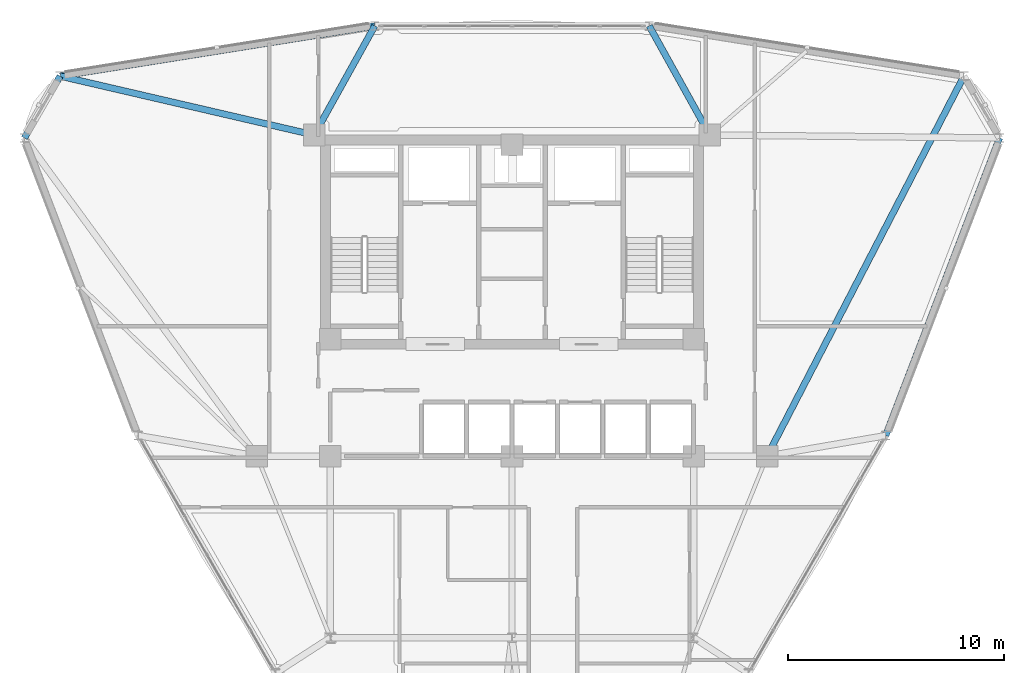
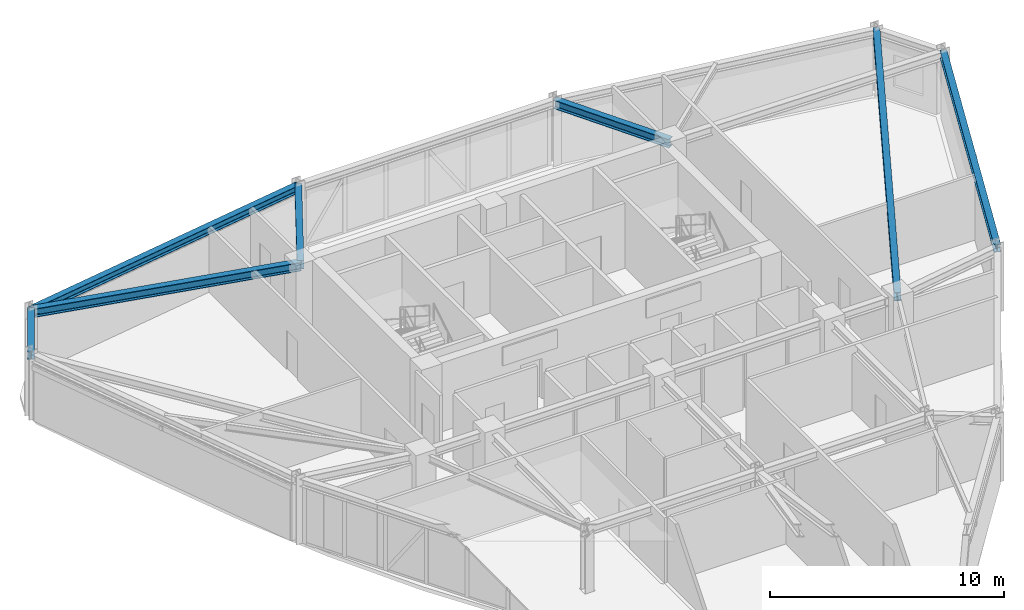
# One storey, part 7 of 14: 7 beams.
"""IFC4 building model written with IfcOpenShell, lengths in metres."""

from ifc_helpers import new_model, si_unit, derived_unit, direction, frame, origin, origin_2d, place, context, subcontext, project, spatial, i_section, extrude, source, transform, mapped, material, material_profile, profile_set, type_object, element, save


model = new_model("IFC4")

# Units and contexts
model_context = context("Model", 3, precision=1e-05, world=origin(), true_north=direction((0.0, 1.0)))
body_context = subcontext(model_context, "Body", "Model", "MODEL_VIEW")
ifc_project = project(units=[si_unit("LENGTHUNIT", "METRE"), si_unit("AREAUNIT", "SQUARE_METRE"), si_unit("VOLUMEUNIT", "CUBIC_METRE"), si_unit("PLANEANGLEUNIT", "RADIAN"), si_unit("MASSUNIT", "GRAM", prefix="KILO"), derived_unit("THERMALTRANSMITTANCEUNIT", [(si_unit("POWERUNIT", "WATT"), 1), (si_unit("LENGTHUNIT", "METRE"), -2), (si_unit("THERMODYNAMICTEMPERATUREUNIT", "KELVIN"), -1)])], contexts=[model_context])

# Site, building, storey
site_placement = place(None, origin())
site = spatial("IfcSite", under=ifc_project, at=site_placement, CompositionType="ELEMENT")
building_placement = place(site_placement, origin())
building = spatial("IfcBuilding", under=site, at=building_placement, Name="Korsvarv Bourse and Concert Hall", CompositionType="ELEMENT")
storey_placement = place(building_placement, frame((0.0, 0.0, 172.199951171875)))
storey = spatial("IfcBuildingStorey", under=building, at=storey_placement, Name="L44", CompositionType="ELEMENT", Elevation=172.199951171875)

# Beams
ifc_material = material(Name="Steel S355", Category="steel")
ifc_material_profile_1 = material_profile(ifc_material, i_section(OverallWidth=0.300048828125, OverallDepth=0.449951171875, WebThickness=0.013916015625, FlangeThickness=0.02587890625, FilletRadius=0.02099609375, at=origin_2d()), Name="HEB 450")
ifc_profile_set_1 = profile_set([ifc_material_profile_1], Name="Steel S355")
beam_type_1 = type_object("IfcBeamType", Name="BM-HEB450", PredefinedType="SPANDREL", material=ifc_profile_set_1)
shared_shape_1 = source(origin(), body_context, "Body", "SweptSolid", [
    extrude(i_section(OverallWidth=0.300048828125, OverallDepth=0.449951171875, WebThickness=0.013916015625, FlangeThickness=0.02587890625, FilletRadius=0.02099609375, at=origin_2d()), origin(), (0.0, 0.0, 1.0), 19.79248046875),
])
beam_1_placement = place(storey_placement, frame((56.90234375, 49.97509765625, 3.175048828125), z_axis=(-0.459888290495, -0.887976779125, 0.0), x_axis=(0.887976779125, -0.459888290495, 0.0)))
element("IfcBeam", 1, at=beam_1_placement, inside=storey, type_object=beam_type_1, Name="L44 beam B-08", PredefinedType="SPANDREL", context=body_context, shape_type="MappedRepresentation", body=[
    mapped(shared_shape_1, transform((0.0, 0.0, 0.0), scale=1.0)),
])
shared_shape_2 = source(origin(), body_context, "Body", "SweptSolid", [
    extrude(i_section(OverallWidth=0.300048828125, OverallDepth=0.449951171875, WebThickness=0.013916015625, FlangeThickness=0.02587890625, FilletRadius=0.02099609375, at=origin_2d()), origin(), (0.0, 0.0, 1.0), 5.772705078125),
])
for number, where, z_axis, x_axis, name in (
    (2, (42.345947265625, 52.2958984375, 3.175048828125), (0.485732701051, -0.874107397938, 0.0), (0.874107397938, 0.485732701051, 0.0), "L44 beam B-08"),
    (3, (29.654052734375, 52.2958984375, 3.175048828125), (-0.485732701051, -0.874107397938, 0.0), (0.874107397938, -0.485732701051, 0.0), "L44 beam B-08"),
):
    element("IfcBeam", number, at=place(storey_placement, frame(where, z_axis=z_axis, x_axis=x_axis)), inside=storey, type_object=beam_type_1, Name=name, PredefinedType="SPANDREL", context=body_context, shape_type="MappedRepresentation", body=[
        mapped(shared_shape_2, transform((0.0, 0.0, 0.0), scale=1.0)),
    ])
shared_shape_3 = source(origin(), body_context, "Body", "SweptSolid", [
    extrude(i_section(OverallWidth=0.300048828125, OverallDepth=0.449951171875, WebThickness=0.013916015625, FlangeThickness=0.02587890625, FilletRadius=0.02099609375, at=origin_2d()), origin(), (0.0, 0.0, 1.0), 12.064208984375),
])
beam_2_placement = place(storey_placement, frame((15.09765625, 49.97509765625, 3.175048828125), z_axis=(0.974154639809, -0.225882132402, 0.0), x_axis=(0.225882132402, 0.974154639809, 0.0)))
element("IfcBeam", 4, at=beam_2_placement, inside=storey, type_object=beam_type_1, Name="L44 beam B-08", PredefinedType="SPANDREL", context=body_context, shape_type="MappedRepresentation", body=[
    mapped(shared_shape_3, transform((0.0, 0.0, 0.0), scale=1.0)),
])
ifc_material_profile_2 = material_profile(ifc_material, i_section(OverallWidth=0.300048828125, OverallDepth=0.389892578125, WebThickness=0.010986328125, FlangeThickness=0.01904296875, FilletRadius=0.02099609375, at=origin_2d()), Name="HEA 400")
ifc_profile_set_2 = profile_set([ifc_material_profile_2], Name="Steel S355")
beam_type_2 = type_object("IfcBeamType", Name="BM-HEA400", PredefinedType="BEAM", material=ifc_profile_set_2)
shared_shape_4 = source(origin(), body_context, "Body", "SweptSolid", [
    extrude(i_section(OverallWidth=0.300048828125, OverallDepth=0.389892578125, WebThickness=0.010986328125, FlangeThickness=0.01904296875, FilletRadius=0.02099609375, at=origin_2d()), origin(), (0.0, 0.0, 1.0), 3.30322265625),
])
beam_3_placement = place(storey_placement, frame((15.09765625, 49.97509765625, 3.205078125), z_axis=(-0.500010360262, -0.866019422202, 0.0), x_axis=(0.866019422202, -0.500010360262, 0.0)))
element("IfcBeam", 5, at=beam_3_placement, inside=storey, type_object=beam_type_2, Name="L44 beam B-11", PredefinedType="BEAM", context=body_context, shape_type="MappedRepresentation", body=[
    mapped(shared_shape_4, transform((0.0, 0.0, 0.0), scale=1.0)),
])
shared_shape_5 = source(origin(), body_context, "Body", "SweptSolid", [
    extrude(i_section(OverallWidth=0.300048828125, OverallDepth=0.389892578125, WebThickness=0.010986328125, FlangeThickness=0.01904296875, FilletRadius=0.02099609375, at=origin_2d()), origin(), (0.0, 0.0, 1.0), 14.740234375),
])
for number, where, z_axis, x_axis, name in (
    (6, (29.654052734375, 52.2958984375, 3.205078125), (-0.987527508196, -0.157446564127, 0.0), (0.157446564127, -0.987527508196, 0.0), "L44 beam B-11"),
    (7, (53.28564453125, 33.347900390625, 3.205078125), (0.357410307227, 0.933947467627, 0.0), (-0.933947467627, 0.357410307227, 0.0), "L44 beam B-11"),
):
    element("IfcBeam", number, at=place(storey_placement, frame(where, z_axis=z_axis, x_axis=x_axis)), inside=storey, type_object=beam_type_2, Name=name, PredefinedType="BEAM", context=body_context, shape_type="MappedRepresentation", body=[
        mapped(shared_shape_5, transform((0.0, 0.0, 0.0), scale=1.0)),
    ])

save(model, "model.ifc")
